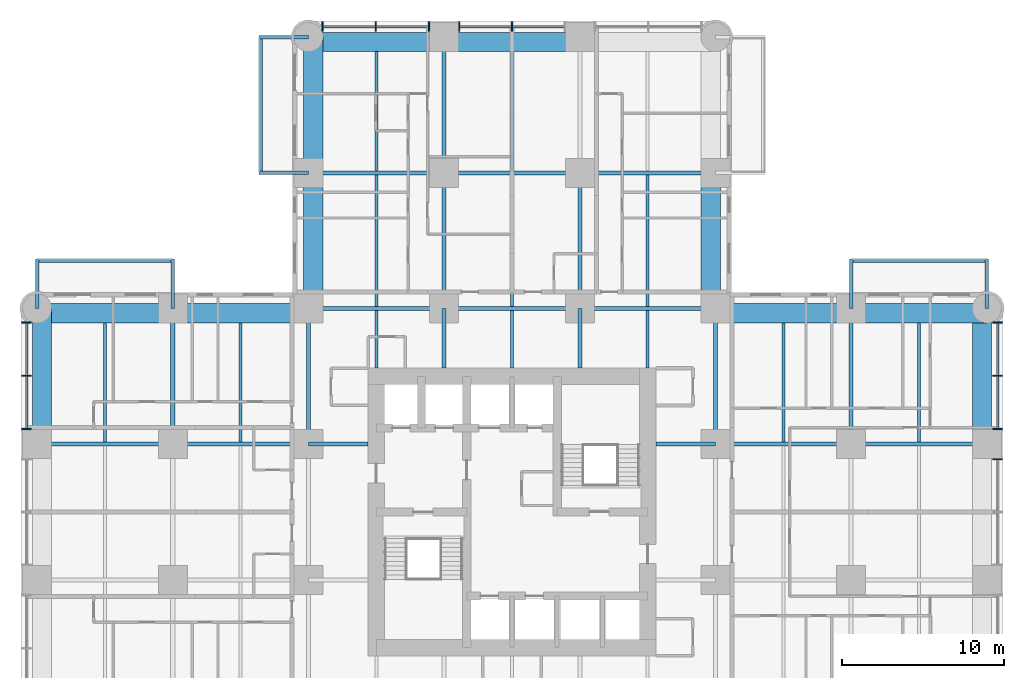
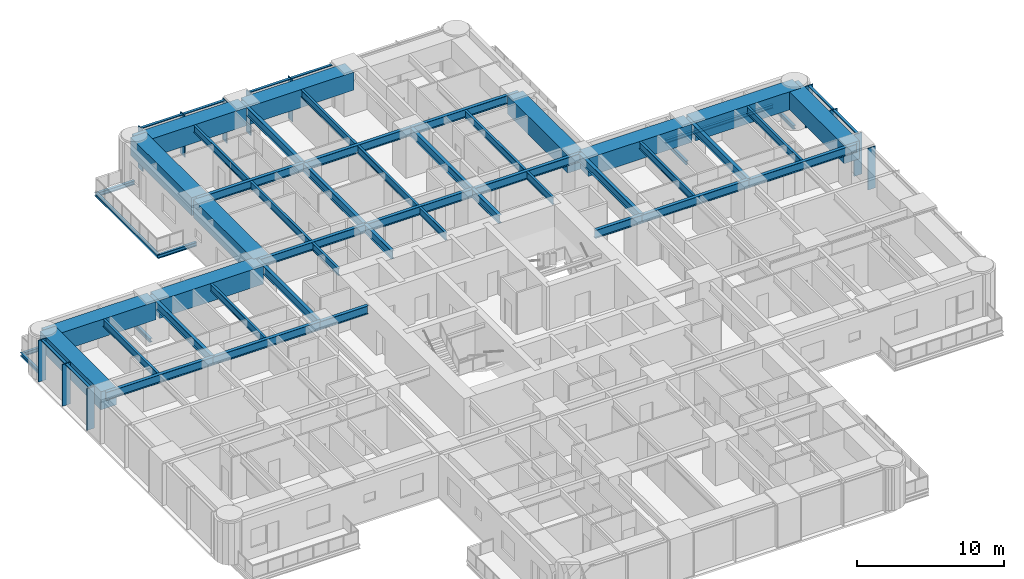
# One storey, part 4 of 17: 53 beams, 20 members, 3 elements without a shape of their own.
"""IFC4 building model written with IfcOpenShell, lengths in metres."""

import ifcopenshell
import ifcopenshell.guid

model = None  # the IFC model being written
_history = None  # IfcOwnerHistory: only IFC2X3 demands one
_inside = {}  # id of a spatial element -> (the spatial element, [elements in it])
_under = {}  # id of a project, library or spatial element -> (it, [spatial elements below it])
_declared = {}  # id of a project -> (the project, [libraries it declares])
_typed = {}  # id of a type object -> (the type object, [elements of that type])
_made_of = {}  # id of a material, layer set ... -> (it, [elements and type objects made of it])


def new_model(schema):
    """Start an empty IFC model of exactly this schema.

    Asked for "IFC4X3", IfcOpenShell would pick the latest addendum, in which some entities
    have other attributes; the version numbers below select the first issue.
    IFC2X3 requires an IfcOwnerHistory on every rooted entity: one is made here for all.
    """
    global model, _history
    if schema == "IFC4X3":
        model = ifcopenshell.file(schema_version=(4, 3, 0, 0))
    else:
        model = ifcopenshell.file(schema=schema)
    _inside.clear()
    _under.clear()
    _declared.clear()
    _typed.clear()
    _made_of.clear()
    _history = None
    if model.schema == "IFC2X3":
        org = make("IfcOrganization", Name="unknown")
        user = make(
            "IfcPersonAndOrganization",
            ThePerson=make("IfcPerson", FamilyName="unknown"),
            TheOrganization=org,
        )
        app = make(
            "IfcApplication",
            ApplicationDeveloper=org,
            Version="unknown",
            ApplicationFullName="unknown",
            ApplicationIdentifier="unknown",
        )
        _history = make(
            "IfcOwnerHistory",
            OwningUser=user,
            OwningApplication=app,
            ChangeAction="ADDED",
            CreationDate=0,
        )
    return model


def make(cls, **values):
    """One entity of the class cls with the attributes given. An attribute that is None is left unset."""
    return model.create_entity(
        cls, **{name: value for name, value in values.items() if value is not None}
    )


def rooted(cls, **values):
    """An entity with a GlobalId (a new one), such as an element, a storey or a relation."""
    return make(cls, GlobalId=ifcopenshell.guid.new(), OwnerHistory=_history, **values)


def si_unit(unit_type, name, prefix=None):
    """IfcSIUnit, for example si_unit("LENGTHUNIT", "METRE", prefix="MILLI")."""
    return make("IfcSIUnit", UnitType=unit_type, Prefix=prefix, Name=name)


def assignment(units):
    """IfcUnitAssignment: the units of a project."""
    return None if units is None else make("IfcUnitAssignment", Units=units)


def point(xyz):
    """IfcCartesianPoint."""
    return None if xyz is None else make("IfcCartesianPoint", Coordinates=xyz)


def direction(xyz):
    """IfcDirection."""
    return None if xyz is None else make("IfcDirection", DirectionRatios=xyz)


def frame(location, z_axis=None, x_axis=None):
    """IfcAxis2Placement3D, a coordinate frame: its origin and axes. An axis left out is left unset."""
    return make(
        "IfcAxis2Placement3D",
        Location=point(location),
        Axis=direction(z_axis),
        RefDirection=direction(x_axis),
    )


def frame_2d(location, x_axis=None):
    """IfcAxis2Placement2D, a coordinate frame in the plane: its origin and x axis."""
    return make(
        "IfcAxis2Placement2D", Location=point(location), RefDirection=direction(x_axis)
    )


def origin():
    """The frame at (0, 0, 0) with its axes left unset."""
    return frame((0.0, 0.0, 0.0))


def origin_2d():
    """The frame at (0, 0) in the plane with its x axis left unset."""
    return frame_2d((0.0, 0.0))


def place(relative_to, where):
    """IfcLocalPlacement: puts the frame where relative to a parent placement (None: the world)."""
    return make(
        "IfcLocalPlacement", PlacementRelTo=relative_to, RelativePlacement=where
    )


def context(
    kind, dimensions, precision=None, world=None, true_north=None, identifier=None
):
    """IfcGeometricRepresentationContext, for example the 3D "Model" context."""
    return make(
        "IfcGeometricRepresentationContext",
        ContextIdentifier=identifier,
        ContextType=kind,
        CoordinateSpaceDimension=dimensions,
        Precision=precision,
        WorldCoordinateSystem=world,
        TrueNorth=true_north,
    )


def subcontext(parent, identifier, kind, view, scale=None):
    """IfcGeometricRepresentationSubContext, for example "Body" below "Model"."""
    return make(
        "IfcGeometricRepresentationSubContext",
        ContextIdentifier=identifier,
        ContextType=kind,
        ParentContext=parent,
        TargetScale=scale,
        TargetView=view,
    )


def project(units=None, contexts=None):
    """IfcProject with its units and contexts."""
    return rooted(
        "IfcProject",
        Name="project",
        RepresentationContexts=contexts,
        UnitsInContext=assignment(units),
    )


def spatial(cls, under=None, at=None, **own):
    """A site, building, storey or space (cls), placed at a placement, below another one or the project."""
    s = rooted(cls, ObjectPlacement=at, **own)
    if under is not None:
        _under.setdefault(under.id(), (under, []))[1].append(s)
    return s


def profile(cls, at=None, kind="AREA", **sizes):
    """A parametric profile (cls). Its sizes go by their IFC names, for example OverallWidth=200.0."""
    return make(cls, ProfileType=kind, Position=at, **sizes)


def rectangle(**sizes):
    """IfcRectangleProfileDef."""
    return profile("IfcRectangleProfileDef", **sizes)


def i_section(**sizes):
    """IfcIShapeProfileDef."""
    return profile("IfcIShapeProfileDef", **sizes)


def extrude(swept, where, along, depth):
    """IfcExtrudedAreaSolid: the profile swept, set in the frame where, extruded along a direction by depth."""
    return make(
        "IfcExtrudedAreaSolid",
        SweptArea=swept,
        Position=where,
        ExtrudedDirection=direction(along),
        Depth=depth,
    )


def shape(context_of_items, identifier, shape_type, items):
    """IfcShapeRepresentation: the items that make up one representation, for example the "Body"."""
    return make(
        "IfcShapeRepresentation",
        ContextOfItems=context_of_items,
        RepresentationIdentifier=identifier,
        RepresentationType=shape_type,
        Items=items,
    )


def material(Name=None, Category=None):
    """IfcMaterial."""
    return make("IfcMaterial", Name=Name, Category=Category)


def material_profile(
    of_material, cross_section, Name=None, Category=None, Priority=None
):
    """IfcMaterialProfile: a cross section and its material."""
    return make(
        "IfcMaterialProfile",
        Name=Name,
        Material=of_material,
        Profile=cross_section,
        Priority=Priority,
        Category=Category,
    )


def profile_set(profiles, Name=None, composite=None):
    """IfcMaterialProfileSet."""
    return make(
        "IfcMaterialProfileSet",
        Name=Name,
        MaterialProfiles=profiles,
        CompositeProfile=composite,
    )


def made_of(thing, what):
    """Note that an element or type object is made of a material, layer set ...; save() writes the relation."""
    if what is not None:
        _made_of.setdefault(what.id(), (what, []))[1].append(thing)
    return thing


def type_object(cls, material=None, **own):
    """A type object (cls), such as IfcWallType, which elements share."""
    return made_of(rooted(cls, **own), material)


def element(
    cls,
    number,
    at=None,
    inside=None,
    cuts=None,
    type_object=None,
    material=None,
    context=None,
    identifier="Body",
    shape_type=None,
    held_by="IfcProductDefinitionShape",
    body=None,
    shapes=None,
    **own,
):
    """One element of the class cls, such as IfcWall. Its Tag is "e" and its number.

    at: its placement. inside: the storey or other place that contains it. cuts: it is an
    opening in that element (IfcRelVoidsElement). A single representation is given by context,
    identifier, shape_type and body (its items); several are given by shapes. held_by: the class
    of the entity that holds the representations. save() writes the other relations.
    """
    e = rooted(cls, Tag="e%d" % number, ObjectPlacement=at, **own)
    if body is not None:
        shapes = [shape(context, identifier, shape_type, body)]
    if shapes is not None:
        e.Representation = make(held_by, Representations=shapes)
    if inside is not None:
        _inside.setdefault(inside.id(), (inside, []))[1].append(e)
    if cuts is not None:
        rooted(
            "IfcRelVoidsElement", RelatingBuildingElement=cuts, RelatedOpeningElement=e
        )
    if type_object is not None:
        _typed.setdefault(type_object.id(), (type_object, []))[1].append(e)
    return made_of(e, material)


def aggregate(whole, parts):
    """IfcRelAggregates: a whole, such as a stair, and the parts it consists of."""
    return rooted("IfcRelAggregates", RelatingObject=whole, RelatedObjects=parts)


def save(model, path):
    """Write the relations noted so far, then the file.

    IfcRelAggregates (storeys below a building ...), IfcRelContainedInSpatialStructure (elements
    in a storey), IfcRelDefinesByType, IfcRelAssociatesMaterial and IfcRelDeclares: one each for
    every whole, place, type object, material and project.
    """
    for whole, parts in _under.values():
        aggregate(whole, parts)
    for where, things in _inside.values():
        rooted(
            "IfcRelContainedInSpatialStructure",
            RelatedElements=things,
            RelatingStructure=where,
        )
    for kind, things in _typed.values():
        rooted("IfcRelDefinesByType", RelatedObjects=things, RelatingType=kind)
    for what, things in _made_of.values():
        rooted("IfcRelAssociatesMaterial", RelatedObjects=things, RelatingMaterial=what)
    for by, libraries in _declared.values():
        rooted("IfcRelDeclares", RelatingContext=by, RelatedDefinitions=libraries)
    model.write(path)


model = new_model("IFC4")

# Units and contexts
model_context = context("Model", 3, precision=1e-05, world=origin(), true_north=direction((0.0, 1.0)))
body_context = subcontext(model_context, "Body", "Model", "MODEL_VIEW")
ifc_project = project(units=[si_unit("LENGTHUNIT", "METRE"), si_unit("AREAUNIT", "SQUARE_METRE"), si_unit("VOLUMEUNIT", "CUBIC_METRE"), si_unit("PLANEANGLEUNIT", "RADIAN"), si_unit("MASSUNIT", "GRAM", prefix="KILO")], contexts=[model_context])

# Site, building, storey
site_placement = place(None, origin())
site = spatial("IfcSite", under=ifc_project, at=site_placement, CompositionType="ELEMENT")
building_placement = place(site_placement, origin())
building = spatial("IfcBuilding", under=site, at=building_placement, Name="Torre Alcanfor", CompositionType="ELEMENT")
storey_placement = place(building_placement, frame((0.0, 0.0, 63.300048828125)))
storey = spatial("IfcBuildingStorey", under=building, at=storey_placement, Name="L15", CompositionType="ELEMENT", Elevation=63.300048828125)

# Beams
ifc_material_1 = material(Name="Steel ASTM A992 Grade 50", Category="steel")
ifc_material_profile_1 = material_profile(ifc_material_1, i_section(OverallWidth=0.205322265625, OverallDepth=0.309814453125, WebThickness=0.00927734375, FlangeThickness=0.016357421875, at=origin_2d()), Name="W12x50")
ifc_profile_set_1 = profile_set([ifc_material_profile_1], Name="Steel ASTM A992 Grade 50")
beam_type_1 = type_object("IfcBeamType", Name="Balcony cantilever beam W12x50", PredefinedType="BEAM", material=ifc_profile_set_1)
for number, where, z_axis, x_axis, name in (
    (1, (16.800048828125, 50.39990234375, -0.35498046875), (-1.0, 0.0, 0.0), (0.0, -1.0, 0.0), "Balcony cantilever beam L15-N1 1"),
    (2, (16.800048828125, 58.800048828125, -0.35498046875), (-1.0, 0.0, 0.0), (0.0, -1.0, 0.0), "Balcony cantilever beam L15-N1 2"),
    (3, (50.39990234375, 42.0, -0.35498046875), (0.0, 1.0, 0.0), (-1.0, 0.0, 0.0), "Balcony cantilever beam L15-E1 1"),
    (4, (58.800048828125, 42.0, -0.35498046875), (0.0, 1.0, 0.0), (-1.0, 0.0, 0.0), "Balcony cantilever beam L15-E1 2"),
    (5, (8.39990234375, 42.0, -0.35498046875), (0.0, 1.0, 0.0), (-1.0, 0.0, 0.0), "Balcony cantilever beam L15-W2 1"),
    (6, (0.0, 42.0, -0.35498046875), (0.0, 1.0, 0.0), (-1.0, 0.0, 0.0), "Balcony cantilever beam L15-W2 2"),
):
    element("IfcBeam", number, at=place(storey_placement, frame(where, z_axis=z_axis, x_axis=x_axis)), inside=storey, type_object=beam_type_1, Name=name, PredefinedType="BEAM", context=body_context, shape_type="SweptSolid", body=[
        extrude(i_section(OverallWidth=0.205322265625, OverallDepth=0.309814453125, WebThickness=0.00927734375, FlangeThickness=0.016357421875, at=origin_2d()), origin(), (0.0, 0.0, 1.0), 3.050048828125),
    ])
ifc_material_2 = material(Name="Steel ASTM A992 Grade 50", Category="steel")
ifc_material_profile_2 = material_profile(ifc_material_2, i_section(OverallWidth=0.203369140625, OverallDepth=0.30224609375, WebThickness=0.007568359375, FlangeThickness=0.01318359375, at=origin_2d()), Name="W12x40")
ifc_profile_set_2 = profile_set([ifc_material_profile_2], Name="Steel ASTM A992 Grade 50")
beam_type_2 = type_object("IfcBeamType", Name="Balcony edge trimmer W12x40", PredefinedType="BEAM", material=ifc_profile_set_2)
for number, where, z_axis, x_axis, name in (
    (7, (13.851806640625, 50.39990234375, -0.35107421875), (0.0, 1.0, 0.0), (-1.0, 0.0, 0.0), "Balcony edge trimmer L15-N1"),
    (8, (50.39990234375, 44.9482421875, -0.35107421875), (1.0, 0.0, 0.0), (0.0, 1.0, 0.0), "Balcony edge trimmer L15-E1"),
):
    element("IfcBeam", number, at=place(storey_placement, frame(where, z_axis=z_axis, x_axis=x_axis)), inside=storey, type_object=beam_type_2, Name=name, PredefinedType="BEAM", context=body_context, shape_type="SweptSolid", body=[
        extrude(i_section(OverallWidth=0.203369140625, OverallDepth=0.30224609375, WebThickness=0.007568359375, FlangeThickness=0.01318359375, at=origin_2d()), origin(), (0.0, 0.0, 1.0), 8.400146484375),
    ])
beam_1_placement = place(storey_placement, frame((8.39990234375, 44.9482421875, -0.35107421875), z_axis=(-1.0, 0.0, 0.0), x_axis=(0.0, -1.0, 0.0)))
element("IfcBeam", 9, at=beam_1_placement, inside=storey, type_object=beam_type_2, Name="Balcony edge trimmer L15-W2", PredefinedType="BEAM", context=body_context, shape_type="SweptSolid", body=[
    extrude(i_section(OverallWidth=0.203369140625, OverallDepth=0.30224609375, WebThickness=0.007568359375, FlangeThickness=0.01318359375, at=origin_2d()), origin(), (0.0, 0.0, 1.0), 8.39990234375),
])

# Curtain wall, members
ifc_material_3 = material(Name="Aluminium and glass", Category="aluminium")
curtain_wall_type = type_object("IfcCurtainWallType", Name="CW-A unitised apartment glazing with vertical FIN", PredefinedType="NOTDEFINED", material=ifc_material_3)
curtain_wall_1_placement = place(storey_placement, origin())
curtain_wall_1 = element("IfcCurtainWall", 10, at=curtain_wall_1_placement, inside=storey, type_object=curtain_wall_type, Name="Curtain wall CW-A L15 2", PredefinedType="NOTDEFINED")
ifc_material_4 = material(Name="Bronze anodised aluminium", Category="aluminium")
ifc_material_profile_3 = material_profile(ifc_material_4, rectangle(XDim=0.60009765625, YDim=0.06494140625, at=origin_2d()), Name="CW-A mullion 65x600")
ifc_profile_set_3 = profile_set([ifc_material_profile_3], Name="Bronze anodised aluminium")
member_type_1 = type_object("IfcMemberType", Name="CW-A mullion with vertical FIN 65x600", PredefinedType="MULLION", material=ifc_profile_set_3)
member_1_placement = place(storey_placement, frame((-0.64990234375, 41.133056640625, 0.0), z_axis=(0.0, 0.0, 1.0), x_axis=(1.0, 0.0, 0.0)))
member_1 = element("IfcMember", 11, at=member_1_placement, type_object=member_type_1, Name="CW-A mullion 1.1", PredefinedType="MULLION", context=body_context, shape_type="SweptSolid", body=[
    extrude(rectangle(XDim=0.60009765625, YDim=0.06494140625, at=origin_2d()), origin(), (0.0, 0.0, 1.0), 3.449951171875),
])
member_2_placement = place(storey_placement, frame((-0.64990234375, 37.835205078125, 0.0), z_axis=(0.0, 0.0, 1.0), x_axis=(1.0, 0.0, 0.0)))
member_2 = element("IfcMember", 12, at=member_2_placement, type_object=member_type_1, Name="CW-A mullion 1.2", PredefinedType="MULLION", context=body_context, shape_type="SweptSolid", body=[
    extrude(rectangle(XDim=0.60009765625, YDim=0.06494140625, at=origin_2d()), origin(), (0.0, 0.0, 1.0), 3.449951171875),
])
member_3_placement = place(storey_placement, frame((-0.64990234375, 34.53759765625, 0.0), z_axis=(0.0, 0.0, 1.0), x_axis=(1.0, 0.0, 0.0)))
member_3 = element("IfcMember", 13, at=member_3_placement, type_object=member_type_1, Name="CW-A mullion 1.3", PredefinedType="MULLION", context=body_context, shape_type="SweptSolid", body=[
    extrude(rectangle(XDim=0.60009765625, YDim=0.06494140625, at=origin_2d()), origin(), (0.0, 0.0, 1.0), 3.449951171875),
])

curtain_wall_2_placement = place(storey_placement, origin())
curtain_wall_2 = element("IfcCurtainWall", 14, at=curtain_wall_2_placement, inside=storey, type_object=curtain_wall_type, Name="Curtain wall CW-A L15 8", PredefinedType="NOTDEFINED")
member_4_placement = place(storey_placement, frame((59.449951171875, 32.66259765625, 0.0), z_axis=(0.0, 0.0, 1.0), x_axis=(-1.0, 0.0, 0.0)))
member_4 = element("IfcMember", 15, at=member_4_placement, type_object=member_type_1, Name="CW-A mullion 2.3", PredefinedType="MULLION", context=body_context, shape_type="SweptSolid", body=[
    extrude(rectangle(XDim=0.60009765625, YDim=0.06494140625, at=origin_2d()), origin(), (0.0, 0.0, 1.0), 3.449951171875),
])
member_5_placement = place(storey_placement, frame((59.449951171875, 34.53759765625, 0.0), z_axis=(0.0, 0.0, 1.0), x_axis=(-1.0, 0.0, 0.0)))
member_5 = element("IfcMember", 16, at=member_5_placement, type_object=member_type_1, Name="CW-A mullion 3.1", PredefinedType="MULLION", context=body_context, shape_type="SweptSolid", body=[
    extrude(rectangle(XDim=0.60009765625, YDim=0.06494140625, at=origin_2d()), origin(), (0.0, 0.0, 1.0), 3.449951171875),
])
member_6_placement = place(storey_placement, frame((59.449951171875, 37.835205078125, 0.0), z_axis=(0.0, 0.0, 1.0), x_axis=(-1.0, 0.0, 0.0)))
member_6 = element("IfcMember", 17, at=member_6_placement, type_object=member_type_1, Name="CW-A mullion 3.2", PredefinedType="MULLION", context=body_context, shape_type="SweptSolid", body=[
    extrude(rectangle(XDim=0.60009765625, YDim=0.06494140625, at=origin_2d()), origin(), (0.0, 0.0, 1.0), 3.449951171875),
])
member_7_placement = place(storey_placement, frame((59.449951171875, 41.133056640625, 0.0), z_axis=(0.0, 0.0, 1.0), x_axis=(-1.0, 0.0, 0.0)))
member_7 = element("IfcMember", 18, at=member_7_placement, type_object=member_type_1, Name="CW-A mullion 3.3", PredefinedType="MULLION", context=body_context, shape_type="SweptSolid", body=[
    extrude(rectangle(XDim=0.60009765625, YDim=0.06494140625, at=origin_2d()), origin(), (0.0, 0.0, 1.0), 3.449951171875),
])

curtain_wall_3_placement = place(storey_placement, origin())
curtain_wall_3 = element("IfcCurtainWall", 19, at=curtain_wall_3_placement, inside=storey, type_object=curtain_wall_type, Name="Curtain wall CW-A L15 11", PredefinedType="NOTDEFINED")
member_8_placement = place(storey_placement, frame((29.39990234375, 59.449951171875, 0.0), z_axis=(0.0, 0.0, 1.0), x_axis=(0.0, -1.0, 0.0)))
member_8 = element("IfcMember", 20, at=member_8_placement, type_object=member_type_1, Name="CW-A mullion 2.2", PredefinedType="MULLION", context=body_context, shape_type="SweptSolid", body=[
    extrude(rectangle(XDim=0.60009765625, YDim=0.06494140625, at=origin_2d()), origin(), (0.0, 0.0, 1.0), 3.449951171875),
])
member_9_placement = place(storey_placement, frame((26.137451171875, 59.449951171875, 0.0), z_axis=(0.0, 0.0, 1.0), x_axis=(0.0, -1.0, 0.0)))
member_9 = element("IfcMember", 21, at=member_9_placement, type_object=member_type_1, Name="CW-A mullion 2.3", PredefinedType="MULLION", context=body_context, shape_type="SweptSolid", body=[
    extrude(rectangle(XDim=0.60009765625, YDim=0.06494140625, at=origin_2d()), origin(), (0.0, 0.0, 1.0), 3.449951171875),
])
member_10_placement = place(storey_placement, frame((24.262451171875, 59.449951171875, 0.0), z_axis=(0.0, 0.0, 1.0), x_axis=(0.0, -1.0, 0.0)))
member_10 = element("IfcMember", 22, at=member_10_placement, type_object=member_type_1, Name="CW-A mullion 3.1", PredefinedType="MULLION", context=body_context, shape_type="SweptSolid", body=[
    extrude(rectangle(XDim=0.60009765625, YDim=0.06494140625, at=origin_2d()), origin(), (0.0, 0.0, 1.0), 3.449951171875),
])
member_11_placement = place(storey_placement, frame((20.96484375, 59.449951171875, 0.0), z_axis=(0.0, 0.0, 1.0), x_axis=(0.0, -1.0, 0.0)))
member_11 = element("IfcMember", 23, at=member_11_placement, type_object=member_type_1, Name="CW-A mullion 3.2", PredefinedType="MULLION", context=body_context, shape_type="SweptSolid", body=[
    extrude(rectangle(XDim=0.60009765625, YDim=0.06494140625, at=origin_2d()), origin(), (0.0, 0.0, 1.0), 3.449951171875),
])
member_12_placement = place(storey_placement, frame((17.6669921875, 59.449951171875, 0.0), z_axis=(0.0, 0.0, 1.0), x_axis=(0.0, -1.0, 0.0)))
member_12 = element("IfcMember", 24, at=member_12_placement, type_object=member_type_1, Name="CW-A mullion 3.3", PredefinedType="MULLION", context=body_context, shape_type="SweptSolid", body=[
    extrude(rectangle(XDim=0.60009765625, YDim=0.06494140625, at=origin_2d()), origin(), (0.0, 0.0, 1.0), 3.449951171875),
])

# Member
ifc_material_5 = material(Name="Extruded aluminium", Category="aluminium")
ifc_material_profile_4 = material_profile(ifc_material_5, rectangle(XDim=0.199951171875, YDim=0.06494140625, at=origin_2d()), Name="CW-A transom 200x65")
ifc_profile_set_4 = profile_set([ifc_material_profile_4], Name="Extruded aluminium")
member_type_2 = type_object("IfcMemberType", Name="CW-A transom 65x200", PredefinedType="USERDEFINED", material=ifc_profile_set_4)
member_13_placement = place(storey_placement, frame((-0.64990234375, 41.1005859375, 3.41748046875), z_axis=(0.0, -1.0, 0.0), x_axis=(1.0, 0.0, 0.0)))
member_13 = element("IfcMember", 25, at=member_13_placement, type_object=member_type_2, Name="CW-A transom 1.1.2", ObjectType="TRANSOM", PredefinedType="USERDEFINED", context=body_context, shape_type="SweptSolid", body=[
    extrude(rectangle(XDim=0.199951171875, YDim=0.06494140625, at=origin_2d()), origin(), (0.0, 0.0, 1.0), 3.23291015625),
])

member_14_placement = place(storey_placement, frame((-0.64990234375, 37.802734375, 3.41748046875), z_axis=(0.0, -1.0, 0.0), x_axis=(1.0, 0.0, 0.0)))
member_14 = element("IfcMember", 26, at=member_14_placement, type_object=member_type_2, Name="CW-A transom 1.2.2", ObjectType="TRANSOM", PredefinedType="USERDEFINED", context=body_context, shape_type="SweptSolid", body=[
    extrude(rectangle(XDim=0.199951171875, YDim=0.06494140625, at=origin_2d()), origin(), (0.0, 0.0, 1.0), 3.232666015625),
])

aggregate(curtain_wall_1, [member_1, member_2, member_3, member_13, member_14])

member_15_placement = place(storey_placement, frame((59.449951171875, 34.570068359375, 3.41748046875), z_axis=(0.0, 1.0, 0.0), x_axis=(-1.0, 0.0, 0.0)))
member_15 = element("IfcMember", 27, at=member_15_placement, type_object=member_type_2, Name="CW-A transom 3.1.2", ObjectType="TRANSOM", PredefinedType="USERDEFINED", context=body_context, shape_type="SweptSolid", body=[
    extrude(rectangle(XDim=0.199951171875, YDim=0.06494140625, at=origin_2d()), origin(), (0.0, 0.0, 1.0), 3.232666015625),
])

member_16_placement = place(storey_placement, frame((59.449951171875, 37.86767578125, 3.41748046875), z_axis=(0.0, 1.0, 0.0), x_axis=(-1.0, 0.0, 0.0)))
member_16 = element("IfcMember", 28, at=member_16_placement, type_object=member_type_2, Name="CW-A transom 3.2.2", ObjectType="TRANSOM", PredefinedType="USERDEFINED", context=body_context, shape_type="SweptSolid", body=[
    extrude(rectangle(XDim=0.199951171875, YDim=0.06494140625, at=origin_2d()), origin(), (0.0, 0.0, 1.0), 3.23291015625),
])

aggregate(curtain_wall_2, [member_4, member_5, member_6, member_7, member_15, member_16])

member_17_placement = place(storey_placement, frame((32.6298828125, 59.449951171875, 3.41748046875), z_axis=(-1.0, 0.0, 0.0), x_axis=(0.0, -1.0, 0.0)))
member_17 = element("IfcMember", 29, at=member_17_placement, type_object=member_type_2, Name="CW-A transom 2.1.2", ObjectType="TRANSOM", PredefinedType="USERDEFINED", context=body_context, shape_type="SweptSolid", body=[
    extrude(rectangle(XDim=0.199951171875, YDim=0.06494140625, at=origin_2d()), origin(), (0.0, 0.0, 1.0), 3.197265625),
])

member_18_placement = place(storey_placement, frame((29.367431640625, 59.449951171875, 3.41748046875), z_axis=(-1.0, 0.0, 0.0), x_axis=(0.0, -1.0, 0.0)))
member_18 = element("IfcMember", 30, at=member_18_placement, type_object=member_type_2, Name="CW-A transom 2.2.2", ObjectType="TRANSOM", PredefinedType="USERDEFINED", context=body_context, shape_type="SweptSolid", body=[
    extrude(rectangle(XDim=0.199951171875, YDim=0.06494140625, at=origin_2d()), origin(), (0.0, 0.0, 1.0), 3.197509765625),
])

member_19_placement = place(storey_placement, frame((24.22998046875, 59.449951171875, 3.41748046875), z_axis=(-1.0, 0.0, 0.0), x_axis=(0.0, -1.0, 0.0)))
member_19 = element("IfcMember", 31, at=member_19_placement, type_object=member_type_2, Name="CW-A transom 3.1.2", ObjectType="TRANSOM", PredefinedType="USERDEFINED", context=body_context, shape_type="SweptSolid", body=[
    extrude(rectangle(XDim=0.199951171875, YDim=0.06494140625, at=origin_2d()), origin(), (0.0, 0.0, 1.0), 3.232666015625),
])

member_20_placement = place(storey_placement, frame((20.93212890625, 59.449951171875, 3.41748046875), z_axis=(-1.0, 0.0, 0.0), x_axis=(0.0, -1.0, 0.0)))
member_20 = element("IfcMember", 32, at=member_20_placement, type_object=member_type_2, Name="CW-A transom 3.2.2", ObjectType="TRANSOM", PredefinedType="USERDEFINED", context=body_context, shape_type="SweptSolid", body=[
    extrude(rectangle(XDim=0.199951171875, YDim=0.06494140625, at=origin_2d()), origin(), (0.0, 0.0, 1.0), 3.232666015625),
])

aggregate(curtain_wall_3, [member_8, member_9, member_17, member_18, member_10, member_11, member_12, member_19, member_20])

# Beams
ifc_material_6 = material(Name="Steel ASTM A992 Grade 50", Category="steel")
ifc_material_profile_5 = material_profile(ifc_material_6, i_section(OverallWidth=0.25390625, OverallDepth=0.683349609375, WebThickness=0.012451171875, FlangeThickness=0.01904296875, at=origin_2d()), Name="W27x94")
ifc_profile_set_5 = profile_set([ifc_material_profile_5], Name="Steel ASTM A992 Grade 50")
beam_type_3 = type_object("IfcBeamType", Name="Girder W27x94", PredefinedType="BEAM", material=ifc_profile_set_5)
beam_2_placement = place(storey_placement, frame((0.0, 33.60009765625, 3.1083984375), z_axis=(1.0, 0.0, 0.0), x_axis=(0.0, 1.0, 0.0)))
element("IfcBeam", 33, at=beam_2_placement, inside=storey, type_object=beam_type_3, Name="Beam 1G-2G under L16", PredefinedType="BEAM", context=body_context, shape_type="SweptSolid", body=[
    extrude(i_section(OverallWidth=0.25390625, OverallDepth=0.683349609375, WebThickness=0.012451171875, FlangeThickness=0.01904296875, at=origin_2d()), origin(), (0.0, 0.0, 1.0), 8.39990234375),
])
beam_3_placement = place(storey_placement, frame((8.39990234375, 33.60009765625, 3.1083984375), z_axis=(1.0, 0.0, 0.0), x_axis=(0.0, 1.0, 0.0)))
element("IfcBeam", 34, at=beam_3_placement, inside=storey, type_object=beam_type_3, Name="Beam 2G-3G under L16", PredefinedType="BEAM", context=body_context, shape_type="SweptSolid", body=[
    extrude(i_section(OverallWidth=0.25390625, OverallDepth=0.683349609375, WebThickness=0.012451171875, FlangeThickness=0.01904296875, at=origin_2d()), origin(), (0.0, 0.0, 1.0), 8.400146484375),
])
beam_4_placement = place(storey_placement, frame((42.0, 33.60009765625, 3.1083984375), z_axis=(1.0, 0.0, 0.0), x_axis=(0.0, 1.0, 0.0)))
element("IfcBeam", 35, at=beam_4_placement, inside=storey, type_object=beam_type_3, Name="Beam 6G-7G under L16", PredefinedType="BEAM", context=body_context, shape_type="SweptSolid", body=[
    extrude(i_section(OverallWidth=0.25390625, OverallDepth=0.683349609375, WebThickness=0.012451171875, FlangeThickness=0.01904296875, at=origin_2d()), origin(), (0.0, 0.0, 1.0), 8.39990234375),
])
beam_5_placement = place(storey_placement, frame((50.39990234375, 33.60009765625, 3.1083984375), z_axis=(1.0, 0.0, 0.0), x_axis=(0.0, 1.0, 0.0)))
element("IfcBeam", 36, at=beam_5_placement, inside=storey, type_object=beam_type_3, Name="Beam 7G-8G under L16", PredefinedType="BEAM", context=body_context, shape_type="SweptSolid", body=[
    extrude(i_section(OverallWidth=0.25390625, OverallDepth=0.683349609375, WebThickness=0.012451171875, FlangeThickness=0.01904296875, at=origin_2d()), origin(), (0.0, 0.0, 1.0), 8.400146484375),
])
beam_6_placement = place(storey_placement, frame((16.800048828125, 42.0, 3.1083984375), z_axis=(1.0, 0.0, 0.0), x_axis=(0.0, 1.0, 0.0)))
element("IfcBeam", 37, at=beam_6_placement, inside=storey, type_object=beam_type_3, Name="Beam 3H-4H under L16", PredefinedType="BEAM", context=body_context, shape_type="SweptSolid", body=[
    extrude(i_section(OverallWidth=0.25390625, OverallDepth=0.683349609375, WebThickness=0.012451171875, FlangeThickness=0.01904296875, at=origin_2d()), origin(), (0.0, 0.0, 1.0), 8.39990234375),
])
beam_7_placement = place(storey_placement, frame((25.199951171875, 42.0, 3.1083984375), z_axis=(1.0, 0.0, 0.0), x_axis=(0.0, 1.0, 0.0)))
element("IfcBeam", 38, at=beam_7_placement, inside=storey, type_object=beam_type_3, Name="Beam 4H-5H under L16", PredefinedType="BEAM", context=body_context, shape_type="SweptSolid", body=[
    extrude(i_section(OverallWidth=0.25390625, OverallDepth=0.683349609375, WebThickness=0.012451171875, FlangeThickness=0.01904296875, at=origin_2d()), origin(), (0.0, 0.0, 1.0), 8.400146484375),
])
for number, where, z_axis, x_axis, name in (
    (39, (33.60009765625, 42.0, 3.1083984375), (1.0, 0.0, 0.0), (0.0, 1.0, 0.0), "Beam 5H-6H under L16"),
    (40, (16.800048828125, 50.39990234375, 3.1083984375), (1.0, 0.0, 0.0), (0.0, 1.0, 0.0), "Beam 3J-4J under L16"),
):
    element("IfcBeam", number, at=place(storey_placement, frame(where, z_axis=z_axis, x_axis=x_axis)), inside=storey, type_object=beam_type_3, Name=name, PredefinedType="BEAM", context=body_context, shape_type="SweptSolid", body=[
        extrude(i_section(OverallWidth=0.25390625, OverallDepth=0.683349609375, WebThickness=0.012451171875, FlangeThickness=0.01904296875, at=origin_2d()), origin(), (0.0, 0.0, 1.0), 8.39990234375),
    ])
beam_8_placement = place(storey_placement, frame((25.199951171875, 50.39990234375, 3.1083984375), z_axis=(1.0, 0.0, 0.0), x_axis=(0.0, 1.0, 0.0)))
element("IfcBeam", 41, at=beam_8_placement, inside=storey, type_object=beam_type_3, Name="Beam 4J-5J under L16", PredefinedType="BEAM", context=body_context, shape_type="SweptSolid", body=[
    extrude(i_section(OverallWidth=0.25390625, OverallDepth=0.683349609375, WebThickness=0.012451171875, FlangeThickness=0.01904296875, at=origin_2d()), origin(), (0.0, 0.0, 1.0), 8.400146484375),
])
for number, where, z_axis, x_axis, name in (
    (42, (33.60009765625, 50.39990234375, 3.1083984375), (1.0, 0.0, 0.0), (0.0, 1.0, 0.0), "Beam 5J-6J under L16"),
    (43, (8.39990234375, 33.60009765625, 3.1083984375), (0.0, 1.0, 0.0), (-1.0, 0.0, 0.0), "Beam 2G-2H under L16"),
    (44, (16.800048828125, 33.60009765625, 3.1083984375), (0.0, 1.0, 0.0), (-1.0, 0.0, 0.0), "Beam 3G-3H under L16"),
    (45, (25.199951171875, 42.0, 3.1083984375), (0.0, 1.0, 0.0), (-1.0, 0.0, 0.0), "Beam 4H-4J under L16"),
):
    element("IfcBeam", number, at=place(storey_placement, frame(where, z_axis=z_axis, x_axis=x_axis)), inside=storey, type_object=beam_type_3, Name=name, PredefinedType="BEAM", context=body_context, shape_type="SweptSolid", body=[
        extrude(i_section(OverallWidth=0.25390625, OverallDepth=0.683349609375, WebThickness=0.012451171875, FlangeThickness=0.01904296875, at=origin_2d()), origin(), (0.0, 0.0, 1.0), 8.39990234375),
    ])
beam_9_placement = place(storey_placement, frame((25.199951171875, 50.39990234375, 3.1083984375), z_axis=(0.0, 1.0, 0.0), x_axis=(-1.0, 0.0, 0.0)))
element("IfcBeam", 46, at=beam_9_placement, inside=storey, type_object=beam_type_3, Name="Beam 4J-4K under L16", PredefinedType="BEAM", context=body_context, shape_type="SweptSolid", body=[
    extrude(i_section(OverallWidth=0.25390625, OverallDepth=0.683349609375, WebThickness=0.012451171875, FlangeThickness=0.01904296875, at=origin_2d()), origin(), (0.0, 0.0, 1.0), 8.400146484375),
])
for number, where, z_axis, x_axis, name in (
    (47, (33.60009765625, 42.0, 3.1083984375), (0.0, 1.0, 0.0), (-1.0, 0.0, 0.0), "Beam 5H-5J under L16"),
    (48, (42.0, 33.60009765625, 3.1083984375), (0.0, 1.0, 0.0), (-1.0, 0.0, 0.0), "Beam 6G-6H under L16"),
    (49, (50.39990234375, 33.60009765625, 3.1083984375), (0.0, 1.0, 0.0), (-1.0, 0.0, 0.0), "Beam 7G-7H under L16"),
):
    element("IfcBeam", number, at=place(storey_placement, frame(where, z_axis=z_axis, x_axis=x_axis)), inside=storey, type_object=beam_type_3, Name=name, PredefinedType="BEAM", context=body_context, shape_type="SweptSolid", body=[
        extrude(i_section(OverallWidth=0.25390625, OverallDepth=0.683349609375, WebThickness=0.012451171875, FlangeThickness=0.01904296875, at=origin_2d()), origin(), (0.0, 0.0, 1.0), 8.39990234375),
    ])
ifc_material_7 = material(Name="Steel ASTM A992 Grade 50", Category="steel")
ifc_material_profile_6 = material_profile(ifc_material_7, i_section(OverallWidth=0.25390625, OverallDepth=0.683349609375, WebThickness=0.012451171875, FlangeThickness=0.01904296875, at=origin_2d()), Name="W27x94")
ifc_profile_set_6 = profile_set([ifc_material_profile_6], Name="Steel ASTM A992 Grade 50")
beam_type_4 = type_object("IfcBeamType", Name="Girder, part bay W27x94", PredefinedType="BEAM", material=ifc_profile_set_6)
for number, where, z_axis, x_axis, name in (
    (50, (25.199951171875, 42.0, 3.1083984375), (0.0, -1.0, 0.0), (1.0, 0.0, 0.0), "Beam 4H-438_3 under L16"),
    (51, (33.60009765625, 42.0, 3.1083984375), (0.0, -1.0, 0.0), (1.0, 0.0, 0.0), "Beam 5H-538_3 under L16"),
    (52, (16.800048828125, 33.60009765625, 3.1083984375), (1.0, 0.0, 0.0), (0.0, 1.0, 0.0), "Beam 3G-20_5G under L16"),
    (53, (42.0, 33.60009765625, 3.1083984375), (-1.0, 0.0, 0.0), (0.0, -1.0, 0.0), "Beam 6G-38_3G under L16"),
):
    element("IfcBeam", number, at=place(storey_placement, frame(where, z_axis=z_axis, x_axis=x_axis)), inside=storey, type_object=beam_type_4, Name=name, PredefinedType="BEAM", context=body_context, shape_type="SweptSolid", body=[
        extrude(i_section(OverallWidth=0.25390625, OverallDepth=0.683349609375, WebThickness=0.012451171875, FlangeThickness=0.01904296875, at=origin_2d()), origin(), (0.0, 0.0, 1.0), 3.699951171875),
    ])
ifc_material_8 = material(Name="Concrete f'c 70 MPa", Category="concrete")
ifc_material_profile_7 = material_profile(ifc_material_8, rectangle(XDim=1.199951171875, YDim=1.5, at=origin_2d()), Name="1200x1500")
ifc_profile_set_7 = profile_set([ifc_material_profile_7], Name="Concrete f'c 70 MPa")
beam_type_5 = type_object("IfcBeamType", Name="RC perimeter beam 1200x1500", PredefinedType="BEAM", material=ifc_profile_set_7)
beam_10_placement = place(storey_placement, frame((0.0, 41.699951171875, 2.699951171875), z_axis=(1.0, 0.0, 0.0), x_axis=(0.0, 1.0, 0.0)))
element("IfcBeam", 54, at=beam_10_placement, inside=storey, type_object=beam_type_5, Name="Beam 1H-2H under L16", PredefinedType="BEAM", context=body_context, shape_type="SweptSolid", body=[
    extrude(rectangle(XDim=1.199951171875, YDim=1.5, at=origin_2d()), origin(), (0.0, 0.0, 1.0), 8.27294921875),
])
for number, where, z_axis, x_axis, name in (
    (55, (8.527099609375, 41.699951171875, 2.699951171875), (1.0, 0.0, 0.0), (0.0, 1.0, 0.0), "Beam 2H-3H under L16"),
    (56, (42.126953125, 41.699951171875, 2.699951171875), (1.0, 0.0, 0.0), (0.0, 1.0, 0.0), "Beam 6H-7H under L16"),
):
    element("IfcBeam", number, at=place(storey_placement, frame(where, z_axis=z_axis, x_axis=x_axis)), inside=storey, type_object=beam_type_5, Name=name, PredefinedType="BEAM", context=body_context, shape_type="SweptSolid", body=[
        extrude(rectangle(XDim=1.199951171875, YDim=1.5, at=origin_2d()), origin(), (0.0, 0.0, 1.0), 8.14599609375),
    ])
for number, where, z_axis, x_axis, name in (
    (57, (50.527099609375, 41.699951171875, 2.699951171875), (1.0, 0.0, 0.0), (0.0, 1.0, 0.0), "Beam 7H-8H under L16"),
    (58, (16.800048828125, 58.5, 2.699951171875), (1.0, 0.0, 0.0), (0.0, 1.0, 0.0), "Beam 3K-4K under L16"),
):
    element("IfcBeam", number, at=place(storey_placement, frame(where, z_axis=z_axis, x_axis=x_axis)), inside=storey, type_object=beam_type_5, Name=name, PredefinedType="BEAM", context=body_context, shape_type="SweptSolid", body=[
        extrude(rectangle(XDim=1.199951171875, YDim=1.5, at=origin_2d()), origin(), (0.0, 0.0, 1.0), 8.27294921875),
    ])
beam_11_placement = place(storey_placement, frame((25.326904296875, 58.5, 2.699951171875), z_axis=(1.0, 0.0, 0.0), x_axis=(0.0, 1.0, 0.0)))
element("IfcBeam", 59, at=beam_11_placement, inside=storey, type_object=beam_type_5, Name="Beam 4K-5K under L16", PredefinedType="BEAM", context=body_context, shape_type="SweptSolid", body=[
    extrude(rectangle(XDim=1.199951171875, YDim=1.5, at=origin_2d()), origin(), (0.0, 0.0, 1.0), 8.14599609375),
])
beam_12_placement = place(storey_placement, frame((0.300048828125, 33.72705078125, 2.699951171875), z_axis=(0.0, 1.0, 0.0), x_axis=(-1.0, 0.0, 0.0)))
element("IfcBeam", 60, at=beam_12_placement, inside=storey, type_object=beam_type_5, Name="Beam 1G-1H under L16", PredefinedType="BEAM", context=body_context, shape_type="SweptSolid", body=[
    extrude(rectangle(XDim=1.199951171875, YDim=1.5, at=origin_2d()), origin(), (0.0, 0.0, 1.0), 8.27294921875),
])
beam_13_placement = place(storey_placement, frame((17.10009765625, 42.126953125, 2.699951171875), z_axis=(0.0, 1.0, 0.0), x_axis=(-1.0, 0.0, 0.0)))
element("IfcBeam", 61, at=beam_13_placement, inside=storey, type_object=beam_type_5, Name="Beam 3H-3J under L16", PredefinedType="BEAM", context=body_context, shape_type="SweptSolid", body=[
    extrude(rectangle(XDim=1.199951171875, YDim=1.5, at=origin_2d()), origin(), (0.0, 0.0, 1.0), 8.14599609375),
])
beam_14_placement = place(storey_placement, frame((17.10009765625, 50.527099609375, 2.699951171875), z_axis=(0.0, 1.0, 0.0), x_axis=(-1.0, 0.0, 0.0)))
element("IfcBeam", 62, at=beam_14_placement, inside=storey, type_object=beam_type_5, Name="Beam 3J-3K under L16", PredefinedType="BEAM", context=body_context, shape_type="SweptSolid", body=[
    extrude(rectangle(XDim=1.199951171875, YDim=1.5, at=origin_2d()), origin(), (0.0, 0.0, 1.0), 8.27294921875),
])
beam_15_placement = place(storey_placement, frame((41.699951171875, 42.126953125, 2.699951171875), z_axis=(0.0, 1.0, 0.0), x_axis=(-1.0, 0.0, 0.0)))
element("IfcBeam", 63, at=beam_15_placement, inside=storey, type_object=beam_type_5, Name="Beam 6H-6J under L16", PredefinedType="BEAM", context=body_context, shape_type="SweptSolid", body=[
    extrude(rectangle(XDim=1.199951171875, YDim=1.5, at=origin_2d()), origin(), (0.0, 0.0, 1.0), 8.14599609375),
])
beam_16_placement = place(storey_placement, frame((58.5, 33.72705078125, 2.699951171875), z_axis=(0.0, 1.0, 0.0), x_axis=(-1.0, 0.0, 0.0)))
element("IfcBeam", 64, at=beam_16_placement, inside=storey, type_object=beam_type_5, Name="Beam 8G-8H under L16", PredefinedType="BEAM", context=body_context, shape_type="SweptSolid", body=[
    extrude(rectangle(XDim=1.199951171875, YDim=1.5, at=origin_2d()), origin(), (0.0, 0.0, 1.0), 8.27294921875),
])
ifc_material_9 = material(Name="Steel ASTM A992 Grade 50", Category="steel")
ifc_material_profile_8 = material_profile(ifc_material_9, i_section(OverallWidth=0.1787109375, OverallDepth=0.60205078125, WebThickness=0.010986328125, FlangeThickness=0.014892578125, at=origin_2d()), Name="W24x62")
ifc_profile_set_8 = profile_set([ifc_material_profile_8], Name="Steel ASTM A992 Grade 50")
beam_type_6 = type_object("IfcBeamType", Name="Secondary beam W24x62", PredefinedType="BEAM", material=ifc_profile_set_8)
for number, where, z_axis, x_axis, name in (
    (65, (4.199951171875, 33.72705078125, 3.14892578125), (0.0, 1.0, 0.0), (-1.0, 0.0, 0.0), "Beam 4_2G-4_2H under L16"),
    (66, (12.60009765625, 33.72705078125, 3.14892578125), (0.0, 1.0, 0.0), (-1.0, 0.0, 0.0), "Beam 12_6G-12_6H under L16"),
):
    element("IfcBeam", number, at=place(storey_placement, frame(where, z_axis=z_axis, x_axis=x_axis)), inside=storey, type_object=beam_type_6, Name=name, PredefinedType="BEAM", context=body_context, shape_type="SweptSolid", body=[
        extrude(i_section(OverallWidth=0.1787109375, OverallDepth=0.60205078125, WebThickness=0.010986328125, FlangeThickness=0.014892578125, at=origin_2d()), origin(), (0.0, 0.0, 1.0), 7.373046875),
    ])
beam_17_placement = place(storey_placement, frame((21.0, 42.126953125, 3.14892578125), z_axis=(0.0, 1.0, 0.0), x_axis=(-1.0, 0.0, 0.0)))
element("IfcBeam", 67, at=beam_17_placement, inside=storey, type_object=beam_type_6, Name="Beam 21H-21J under L16", PredefinedType="BEAM", context=body_context, shape_type="SweptSolid", body=[
    extrude(i_section(OverallWidth=0.1787109375, OverallDepth=0.60205078125, WebThickness=0.010986328125, FlangeThickness=0.014892578125, at=origin_2d()), origin(), (0.0, 0.0, 1.0), 8.14599609375),
])
beam_18_placement = place(storey_placement, frame((21.0, 50.527099609375, 3.14892578125), z_axis=(0.0, 1.0, 0.0), x_axis=(-1.0, 0.0, 0.0)))
element("IfcBeam", 68, at=beam_18_placement, inside=storey, type_object=beam_type_6, Name="Beam 21J-21K under L16", PredefinedType="BEAM", context=body_context, shape_type="SweptSolid", body=[
    extrude(i_section(OverallWidth=0.1787109375, OverallDepth=0.60205078125, WebThickness=0.010986328125, FlangeThickness=0.014892578125, at=origin_2d()), origin(), (0.0, 0.0, 1.0), 7.372802734375),
])
beam_19_placement = place(storey_placement, frame((29.39990234375, 42.126953125, 3.14892578125), z_axis=(0.0, 1.0, 0.0), x_axis=(-1.0, 0.0, 0.0)))
element("IfcBeam", 69, at=beam_19_placement, inside=storey, type_object=beam_type_6, Name="Beam 29_4H-29_4J under L16", PredefinedType="BEAM", context=body_context, shape_type="SweptSolid", body=[
    extrude(i_section(OverallWidth=0.1787109375, OverallDepth=0.60205078125, WebThickness=0.010986328125, FlangeThickness=0.014892578125, at=origin_2d()), origin(), (0.0, 0.0, 1.0), 8.14599609375),
])
beam_20_placement = place(storey_placement, frame((29.39990234375, 50.527099609375, 3.14892578125), z_axis=(0.0, 1.0, 0.0), x_axis=(-1.0, 0.0, 0.0)))
element("IfcBeam", 70, at=beam_20_placement, inside=storey, type_object=beam_type_6, Name="Beam 29_4J-29_4K under L16", PredefinedType="BEAM", context=body_context, shape_type="SweptSolid", body=[
    extrude(i_section(OverallWidth=0.1787109375, OverallDepth=0.60205078125, WebThickness=0.010986328125, FlangeThickness=0.014892578125, at=origin_2d()), origin(), (0.0, 0.0, 1.0), 7.372802734375),
])
beam_21_placement = place(storey_placement, frame((37.800048828125, 42.126953125, 3.14892578125), z_axis=(0.0, 1.0, 0.0), x_axis=(-1.0, 0.0, 0.0)))
element("IfcBeam", 71, at=beam_21_placement, inside=storey, type_object=beam_type_6, Name="Beam 37_8H-37_8J under L16", PredefinedType="BEAM", context=body_context, shape_type="SweptSolid", body=[
    extrude(i_section(OverallWidth=0.1787109375, OverallDepth=0.60205078125, WebThickness=0.010986328125, FlangeThickness=0.014892578125, at=origin_2d()), origin(), (0.0, 0.0, 1.0), 8.14599609375),
])
for number, where, z_axis, x_axis, name in (
    (72, (46.199951171875, 33.72705078125, 3.14892578125), (0.0, 1.0, 0.0), (-1.0, 0.0, 0.0), "Beam 46_2G-46_2H under L16"),
    (73, (54.60009765625, 33.72705078125, 3.14892578125), (0.0, 1.0, 0.0), (-1.0, 0.0, 0.0), "Beam 54_6G-54_6H under L16"),
):
    element("IfcBeam", number, at=place(storey_placement, frame(where, z_axis=z_axis, x_axis=x_axis)), inside=storey, type_object=beam_type_6, Name=name, PredefinedType="BEAM", context=body_context, shape_type="SweptSolid", body=[
        extrude(i_section(OverallWidth=0.1787109375, OverallDepth=0.60205078125, WebThickness=0.010986328125, FlangeThickness=0.014892578125, at=origin_2d()), origin(), (0.0, 0.0, 1.0), 7.373046875),
    ])
ifc_material_10 = material(Name="Steel ASTM A992 Grade 50", Category="steel")
ifc_material_profile_9 = material_profile(ifc_material_10, i_section(OverallWidth=0.1787109375, OverallDepth=0.60205078125, WebThickness=0.010986328125, FlangeThickness=0.014892578125, at=origin_2d()), Name="W24x62")
ifc_profile_set_9 = profile_set([ifc_material_profile_9], Name="Steel ASTM A992 Grade 50")
beam_type_7 = type_object("IfcBeamType", Name="Secondary beam, part bay W24x62", PredefinedType="BEAM", material=ifc_profile_set_9)
for number, where, z_axis, x_axis, name in (
    (74, (21.0, 38.300048828125, 3.14892578125), (0.0, 1.0, 0.0), (-1.0, 0.0, 0.0), "Beam 2138_3-21H under L16"),
    (75, (29.39990234375, 38.300048828125, 3.14892578125), (0.0, 1.0, 0.0), (-1.0, 0.0, 0.0), "Beam 29_438_3-29_4H under L16"),
    (76, (37.800048828125, 38.300048828125, 3.14892578125), (0.0, 1.0, 0.0), (-1.0, 0.0, 0.0), "Beam 37_838_3-37_8H under L16"),
):
    element("IfcBeam", number, at=place(storey_placement, frame(where, z_axis=z_axis, x_axis=x_axis)), inside=storey, type_object=beam_type_7, Name=name, PredefinedType="BEAM", context=body_context, shape_type="SweptSolid", body=[
        extrude(i_section(OverallWidth=0.1787109375, OverallDepth=0.60205078125, WebThickness=0.010986328125, FlangeThickness=0.014892578125, at=origin_2d()), origin(), (0.0, 0.0, 1.0), 3.572998046875),
    ])

save(model, "model.ifc")
